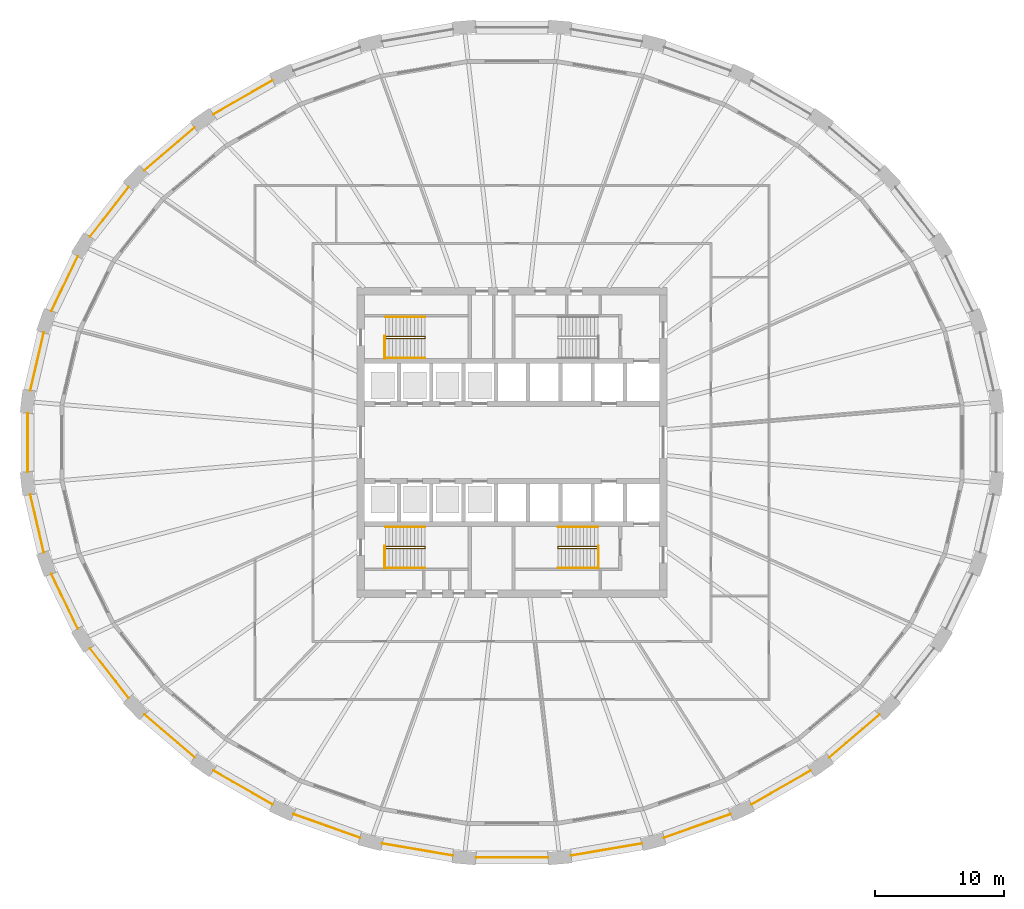
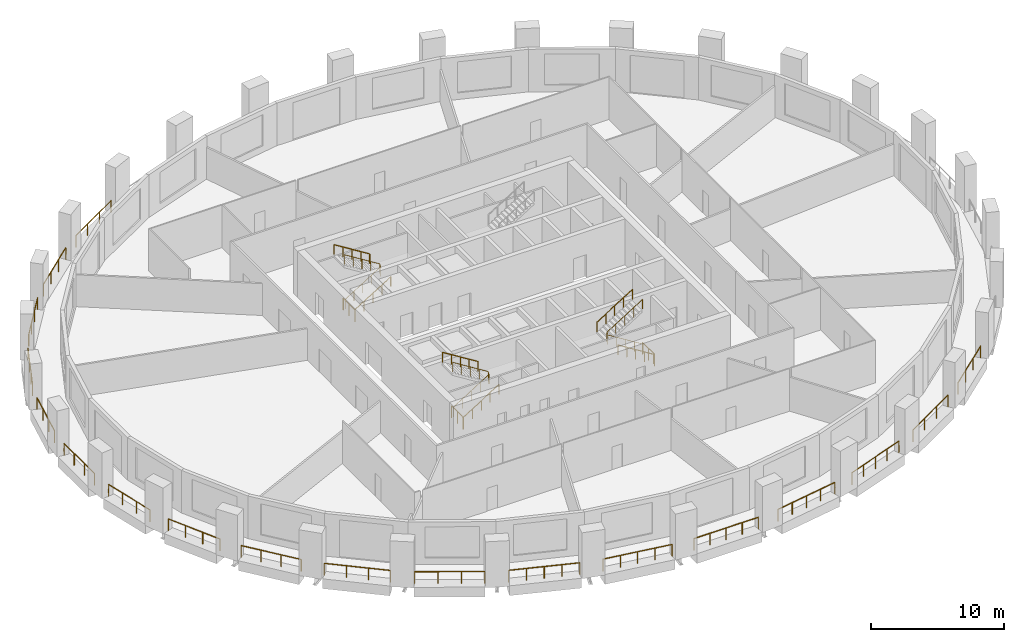
# One storey, part 9 of 11: 30 railings.
"""IFC4 building model written with IfcOpenShell, lengths in metres."""

from ifc_helpers import new_model, si_unit, direction, frame, origin, origin_2d, place, context, subcontext, project, spatial, circle, extrude, material, type_object, element, save


model = new_model("IFC4")

# Units and contexts
model_context = context("Model", 3, precision=1e-05, world=origin(), true_north=direction((0.0, 1.0)))
body_context = subcontext(model_context, "Body", "Model", "MODEL_VIEW")
ifc_project = project(units=[si_unit("LENGTHUNIT", "METRE"), si_unit("AREAUNIT", "SQUARE_METRE"), si_unit("VOLUMEUNIT", "CUBIC_METRE"), si_unit("PLANEANGLEUNIT", "RADIAN"), si_unit("MASSUNIT", "GRAM", prefix="KILO")], contexts=[model_context])

# Site, building, storey
site_placement = place(None, origin())
site = spatial("IfcSite", under=ifc_project, at=site_placement, CompositionType="ELEMENT")
building_placement = place(site_placement, origin())
building = spatial("IfcBuilding", under=site, at=building_placement, Name="Halqa Exchange Tower", CompositionType="ELEMENT")
storey_placement = place(building_placement, frame((0.0, 0.0, 40.300048828125)))
storey = spatial("IfcBuildingStorey", under=building, at=storey_placement, Name="L08", CompositionType="ELEMENT", Elevation=40.300048828125)

# Railings
ifc_material = material(Name="Stainless steel", Category="steel")
railing_type_1 = type_object("IfcRailingType", Name="Guard 1100 stainless steel", PredefinedType="GUARDRAIL", material=ifc_material)
railing_1_placement = place(storey_placement, frame((-18.53271484375, 28.01953125, 0.0)))
element("IfcRailing", 1, at=railing_1_placement, inside=storey, type_object=railing_type_1, Name="Loggia guard 11", PredefinedType="GUARDRAIL", context=body_context, shape_type="SweptSolid", body=[
    extrude(circle(Radius=0.02392578125, at=origin_2d()), frame((0.0, 0.0, 1.076171875), z_axis=(-0.867761260973, -0.496981281292, 0.0), x_axis=(0.496981281292, -0.867761260973, 0.0)), (0.0, 0.0, 1.0), 5.2734375),
    extrude(circle(Radius=0.02099609375, at=origin_2d()), origin(), (0.0, 0.0, 1.0), 1.052001953125),
    extrude(circle(Radius=0.02099609375, at=origin_2d()), frame((-1.525390625, -0.87353515625, 0.0)), (0.0, 0.0, 1.0), 1.052001953125),
    extrude(circle(Radius=0.02099609375, at=origin_2d()), frame((-3.05078125, -1.747314453125, 0.0)), (0.0, 0.0, 1.0), 1.052001953125),
    extrude(circle(Radius=0.02099609375, at=origin_2d()), frame((-4.576171875, -2.620849609375, 0.0)), (0.0, 0.0, 1.0), 1.052001953125),
])
railing_2_placement = place(storey_placement, frame((-24.5732421875, 24.36572265625, 0.0)))
element("IfcRailing", 2, at=railing_2_placement, inside=storey, type_object=railing_type_1, Name="Loggia guard 12", PredefinedType="GUARDRAIL", context=body_context, shape_type="SweptSolid", body=[
    extrude(circle(Radius=0.02392578125, at=origin_2d()), frame((0.0, 0.0, 1.076171875), z_axis=(-0.759259997871, -0.650787412012, 0.0), x_axis=(0.650787412012, -0.759259997871, 0.0)), (0.0, 0.0, 1.0), 5.075439453125),
    extrude(circle(Radius=0.02099609375, at=origin_2d()), origin(), (0.0, 0.0, 1.0), 1.052001953125),
    extrude(circle(Radius=0.02099609375, at=origin_2d()), frame((-1.284423828125, -1.10107421875, 0.0)), (0.0, 0.0, 1.0), 1.052001953125),
    extrude(circle(Radius=0.02099609375, at=origin_2d()), frame((-2.569091796875, -2.201904296875, 0.0)), (0.0, 0.0, 1.0), 1.052001953125),
    extrude(circle(Radius=0.02099609375, at=origin_2d()), frame((-3.853515625, -3.302978515625, 0.0)), (0.0, 0.0, 1.0), 1.052001953125),
])
railing_3_placement = place(storey_placement, frame((-29.663330078125, 19.767333984375, 0.0)))
element("IfcRailing", 3, at=railing_3_placement, inside=storey, type_object=railing_type_1, Name="Loggia guard 13", PredefinedType="GUARDRAIL", context=body_context, shape_type="SweptSolid", body=[
    extrude(circle(Radius=0.02392578125, at=origin_2d()), frame((0.0, 0.0, 1.076171875), z_axis=(-0.614779979903, -0.788698660016, 0.0), x_axis=(0.788698660016, -0.614779979903, 0.0)), (0.0, 0.0, 1.0), 4.87109375),
    extrude(circle(Radius=0.02099609375, at=origin_2d()), origin(), (0.0, 0.0, 1.0), 1.052001953125),
    extrude(circle(Radius=0.02099609375, at=origin_2d()), frame((-0.998291015625, -1.280517578125, 0.0)), (0.0, 0.0, 1.0), 1.052001953125),
    extrude(circle(Radius=0.02099609375, at=origin_2d()), frame((-1.996337890625, -2.561279296875, 0.0)), (0.0, 0.0, 1.0), 1.052001953125),
    extrude(circle(Radius=0.02099609375, at=origin_2d()), frame((-2.99462890625, -3.841796875, 0.0)), (0.0, 0.0, 1.0), 1.052001953125),
])
railing_4_placement = place(storey_placement, frame((-33.602783203125, 14.405517578125, 0.0)))
element("IfcRailing", 4, at=railing_4_placement, inside=storey, type_object=railing_type_1, Name="Loggia guard 14", PredefinedType="GUARDRAIL", context=body_context, shape_type="SweptSolid", body=[
    extrude(circle(Radius=0.02392578125, at=origin_2d()), frame((0.0, 0.0, 1.076171875), z_axis=(-0.435124379728, -0.900370353891, 0.0), x_axis=(0.900370353891, -0.435124379728, 0.0)), (0.0, 0.0, 1.0), 4.69287109375),
    extrude(circle(Radius=0.02099609375, at=origin_2d()), origin(), (0.0, 0.0, 1.0), 1.052001953125),
    extrude(circle(Radius=0.02099609375, at=origin_2d()), frame((-0.6806640625, -1.408447265625, 0.0)), (0.0, 0.0, 1.0), 1.052001953125),
    extrude(circle(Radius=0.02099609375, at=origin_2d()), frame((-1.361328125, -2.81689453125, 0.0)), (0.0, 0.0, 1.0), 1.052001953125),
    extrude(circle(Radius=0.02099609375, at=origin_2d()), frame((-2.0419921875, -4.225341796875, 0.0)), (0.0, 0.0, 1.0), 1.052001953125),
])
railing_5_placement = place(storey_placement, frame((-36.23974609375, 8.4931640625, 0.0)))
element("IfcRailing", 5, at=railing_5_placement, inside=storey, type_object=railing_type_1, Name="Loggia guard 15", PredefinedType="GUARDRAIL", context=body_context, shape_type="SweptSolid", body=[
    extrude(circle(Radius=0.02392578125, at=origin_2d()), frame((0.0, 0.0, 1.076171875), z_axis=(-0.226088077244, -0.974106863403, 0.0), x_axis=(0.974106863403, -0.226088077244, 0.0)), (0.0, 0.0, 1.0), 4.571044921875),
    extrude(circle(Radius=0.02099609375, at=origin_2d()), origin(), (0.0, 0.0, 1.0), 1.052001953125),
    extrude(circle(Radius=0.02099609375, at=origin_2d()), frame((-0.344482421875, -1.484130859375, 0.0)), (0.0, 0.0, 1.0), 1.052001953125),
    extrude(circle(Radius=0.02099609375, at=origin_2d()), frame((-0.68896484375, -2.968505859375, 0.0)), (0.0, 0.0, 1.0), 1.052001953125),
    extrude(circle(Radius=0.02099609375, at=origin_2d()), frame((-1.033447265625, -4.45263671875, 0.0)), (0.0, 0.0, 1.0), 1.052001953125),
])
railing_6_placement = place(storey_placement, frame((-37.4765625, 2.263916015625, 0.0)))
element("IfcRailing", 6, at=railing_6_placement, inside=storey, type_object=railing_type_1, Name="Loggia guard 16", PredefinedType="GUARDRAIL", context=body_context, shape_type="SweptSolid", body=[
    extrude(circle(Radius=0.02392578125, at=origin_2d()), frame((0.0, 0.0, 1.076171875), z_axis=(0.0, -1.0, 0.0), x_axis=(1.0, 0.0, 0.0)), (0.0, 0.0, 1.0), 4.52783203125),
    extrude(circle(Radius=0.02099609375, at=origin_2d()), origin(), (0.0, 0.0, 1.0), 1.052001953125),
    extrude(circle(Radius=0.02099609375, at=origin_2d()), frame((0.0, -1.50927734375, 0.0)), (0.0, 0.0, 1.0), 1.052001953125),
    extrude(circle(Radius=0.02099609375, at=origin_2d()), frame((0.0, -3.0185546875, 0.0)), (0.0, 0.0, 1.0), 1.052001953125),
    extrude(circle(Radius=0.02099609375, at=origin_2d()), frame((0.0, -4.52783203125, 0.0)), (0.0, 0.0, 1.0), 1.052001953125),
])
railing_7_placement = place(storey_placement, frame((-37.273193359375, -4.04052734375, 0.0)))
element("IfcRailing", 7, at=railing_7_placement, inside=storey, type_object=railing_type_1, Name="Loggia guard 17", PredefinedType="GUARDRAIL", context=body_context, shape_type="SweptSolid", body=[
    extrude(circle(Radius=0.02392578125, at=origin_2d()), frame((0.0, 0.0, 1.076171875), z_axis=(0.226088077244, -0.974106863403, 0.0), x_axis=(0.974106863403, 0.226088077244, 0.0)), (0.0, 0.0, 1.0), 4.571044921875),
    extrude(circle(Radius=0.02099609375, at=origin_2d()), origin(), (0.0, 0.0, 1.0), 1.052001953125),
    extrude(circle(Radius=0.02099609375, at=origin_2d()), frame((0.344482421875, -1.484130859375, 0.0)), (0.0, 0.0, 1.0), 1.052001953125),
    extrude(circle(Radius=0.02099609375, at=origin_2d()), frame((0.68896484375, -2.968505859375, 0.0)), (0.0, 0.0, 1.0), 1.052001953125),
    extrude(circle(Radius=0.02099609375, at=origin_2d()), frame((1.033447265625, -4.45263671875, 0.0)), (0.0, 0.0, 1.0), 1.052001953125),
])
railing_8_placement = place(storey_placement, frame((-35.644775390625, -10.18017578125, 0.0)))
element("IfcRailing", 8, at=railing_8_placement, inside=storey, type_object=railing_type_1, Name="Loggia guard 18", PredefinedType="GUARDRAIL", context=body_context, shape_type="SweptSolid", body=[
    extrude(circle(Radius=0.02392578125, at=origin_2d()), frame((0.0, 0.0, 1.076171875), z_axis=(0.435124379728, -0.900370353891, 0.0), x_axis=(0.900370353891, 0.435124379728, 0.0)), (0.0, 0.0, 1.0), 4.69287109375),
    extrude(circle(Radius=0.02099609375, at=origin_2d()), origin(), (0.0, 0.0, 1.0), 1.052001953125),
    extrude(circle(Radius=0.02099609375, at=origin_2d()), frame((0.6806640625, -1.408447265625, 0.0)), (0.0, 0.0, 1.0), 1.052001953125),
    extrude(circle(Radius=0.02099609375, at=origin_2d()), frame((1.361328125, -2.81689453125, 0.0)), (0.0, 0.0, 1.0), 1.052001953125),
    extrude(circle(Radius=0.02099609375, at=origin_2d()), frame((2.0419921875, -4.225341796875, 0.0)), (0.0, 0.0, 1.0), 1.052001953125),
])
railing_9_placement = place(storey_placement, frame((-32.657958984375, -15.925537109375, 0.0)))
element("IfcRailing", 9, at=railing_9_placement, inside=storey, type_object=railing_type_1, Name="Loggia guard 19", PredefinedType="GUARDRAIL", context=body_context, shape_type="SweptSolid", body=[
    extrude(circle(Radius=0.02392578125, at=origin_2d()), frame((0.0, 0.0, 1.076171875), z_axis=(0.614779979903, -0.788698660016, 0.0), x_axis=(0.788698660016, 0.614779979903, 0.0)), (0.0, 0.0, 1.0), 4.87109375),
    extrude(circle(Radius=0.02099609375, at=origin_2d()), origin(), (0.0, 0.0, 1.0), 1.052001953125),
    extrude(circle(Radius=0.02099609375, at=origin_2d()), frame((0.998291015625, -1.280517578125, 0.0)), (0.0, 0.0, 1.0), 1.052001953125),
    extrude(circle(Radius=0.02099609375, at=origin_2d()), frame((1.996337890625, -2.561279296875, 0.0)), (0.0, 0.0, 1.0), 1.052001953125),
    extrude(circle(Radius=0.02099609375, at=origin_2d()), frame((2.99462890625, -3.841796875, 0.0)), (0.0, 0.0, 1.0), 1.052001953125),
])
railing_10_placement = place(storey_placement, frame((-28.4267578125, -21.062744140625, 0.0)))
element("IfcRailing", 10, at=railing_10_placement, inside=storey, type_object=railing_type_1, Name="Loggia guard 20", PredefinedType="GUARDRAIL", context=body_context, shape_type="SweptSolid", body=[
    extrude(circle(Radius=0.02392578125, at=origin_2d()), frame((0.0, 0.0, 1.076171875), z_axis=(0.759259997871, -0.650787412012, 0.0), x_axis=(0.650787412012, 0.759259997871, 0.0)), (0.0, 0.0, 1.0), 5.075439453125),
    extrude(circle(Radius=0.02099609375, at=origin_2d()), origin(), (0.0, 0.0, 1.0), 1.052001953125),
    extrude(circle(Radius=0.02099609375, at=origin_2d()), frame((1.284423828125, -1.10107421875, 0.0)), (0.0, 0.0, 1.0), 1.052001953125),
    extrude(circle(Radius=0.02099609375, at=origin_2d()), frame((2.569091796875, -2.201904296875, 0.0)), (0.0, 0.0, 1.0), 1.052001953125),
    extrude(circle(Radius=0.02099609375, at=origin_2d()), frame((3.853515625, -3.302978515625, 0.0)), (0.0, 0.0, 1.0), 1.052001953125),
])
railing_11_placement = place(storey_placement, frame((-23.10888671875, -25.398681640625, 0.0)))
element("IfcRailing", 11, at=railing_11_placement, inside=storey, type_object=railing_type_1, Name="Loggia guard 21", PredefinedType="GUARDRAIL", context=body_context, shape_type="SweptSolid", body=[
    extrude(circle(Radius=0.02392578125, at=origin_2d()), frame((0.0, 0.0, 1.076171875), z_axis=(0.867761260973, -0.496981281292, 0.0), x_axis=(0.496981281292, 0.867761260973, 0.0)), (0.0, 0.0, 1.0), 5.2734375),
    extrude(circle(Radius=0.02099609375, at=origin_2d()), origin(), (0.0, 0.0, 1.0), 1.052001953125),
    extrude(circle(Radius=0.02099609375, at=origin_2d()), frame((1.525390625, -0.87353515625, 0.0)), (0.0, 0.0, 1.0), 1.052001953125),
    extrude(circle(Radius=0.02099609375, at=origin_2d()), frame((3.05078125, -1.747314453125, 0.0)), (0.0, 0.0, 1.0), 1.052001953125),
    extrude(circle(Radius=0.02099609375, at=origin_2d()), frame((4.576171875, -2.620849609375, 0.0)), (0.0, 0.0, 1.0), 1.052001953125),
])
railing_12_placement = place(storey_placement, frame((-16.90380859375, -28.767822265625, 0.0)))
element("IfcRailing", 12, at=railing_12_placement, inside=storey, type_object=railing_type_1, Name="Loggia guard 22", PredefinedType="GUARDRAIL", context=body_context, shape_type="SweptSolid", body=[
    extrude(circle(Radius=0.02392578125, at=origin_2d()), frame((0.0, 0.0, 1.076171875), z_axis=(0.942367022026, -0.334580925634, 0.0), x_axis=(0.334580925634, 0.942367022026, 0.0)), (0.0, 0.0, 1.0), 5.437744140625),
    extrude(circle(Radius=0.02099609375, at=origin_2d()), origin(), (0.0, 0.0, 1.0), 1.052001953125),
    extrude(circle(Radius=0.02099609375, at=origin_2d()), frame((1.281005859375, -0.454833984375, 0.0)), (0.0, 0.0, 1.0), 1.052001953125),
    extrude(circle(Radius=0.02099609375, at=origin_2d()), frame((2.56201171875, -0.90966796875, 0.0)), (0.0, 0.0, 1.0), 1.052001953125),
    extrude(circle(Radius=0.02099609375, at=origin_2d()), frame((3.84326171875, -1.364501953125, 0.0)), (0.0, 0.0, 1.0), 1.052001953125),
    extrude(circle(Radius=0.02099609375, at=origin_2d()), frame((5.124267578125, -1.8193359375, 0.0)), (0.0, 0.0, 1.0), 1.052001953125),
])
railing_13_placement = place(storey_placement, frame((-10.044189453125, -31.03955078125, 0.0)))
element("IfcRailing", 13, at=railing_13_placement, inside=storey, type_object=railing_type_1, Name="Loggia guard 23", PredefinedType="GUARDRAIL", context=body_context, shape_type="SweptSolid", body=[
    extrude(circle(Radius=0.02392578125, at=origin_2d()), frame((0.0, 0.0, 1.076171875), z_axis=(0.985775416456, -0.168067927667, 0.0), x_axis=(0.168067927667, 0.985775416456, 0.0)), (0.0, 0.0, 1.0), 5.544677734375),
    extrude(circle(Radius=0.02099609375, at=origin_2d()), origin(), (0.0, 0.0, 1.0), 1.052001953125),
    extrude(circle(Radius=0.02099609375, at=origin_2d()), frame((1.366455078125, -0.23291015625, 0.0)), (0.0, 0.0, 1.0), 1.052001953125),
    extrude(circle(Radius=0.02099609375, at=origin_2d()), frame((2.73291015625, -0.4658203125, 0.0)), (0.0, 0.0, 1.0), 1.052001953125),
    extrude(circle(Radius=0.02099609375, at=origin_2d()), frame((4.099365234375, -0.698974609375, 0.0)), (0.0, 0.0, 1.0), 1.052001953125),
    extrude(circle(Radius=0.02099609375, at=origin_2d()), frame((5.4658203125, -0.931884765625, 0.0)), (0.0, 0.0, 1.0), 1.052001953125),
])
railing_14_placement = place(storey_placement, frame((-2.791015625, -32.122802734375, 0.0)))
element("IfcRailing", 14, at=railing_14_placement, inside=storey, type_object=railing_type_1, Name="Loggia guard 24", PredefinedType="GUARDRAIL", context=body_context, shape_type="SweptSolid", body=[
    extrude(circle(Radius=0.02392578125, at=origin_2d()), frame((0.0, 0.0, 1.076171875), z_axis=(1.0, 0.0, 0.0), x_axis=(0.0, 1.0, 0.0)), (0.0, 0.0, 1.0), 5.58203125),
    extrude(circle(Radius=0.02099609375, at=origin_2d()), origin(), (0.0, 0.0, 1.0), 1.052001953125),
    extrude(circle(Radius=0.02099609375, at=origin_2d()), frame((1.3955078125, 0.0, 0.0)), (0.0, 0.0, 1.0), 1.052001953125),
    extrude(circle(Radius=0.02099609375, at=origin_2d()), frame((2.791015625, 0.0, 0.0)), (0.0, 0.0, 1.0), 1.052001953125),
    extrude(circle(Radius=0.02099609375, at=origin_2d()), frame((4.1865234375, 0.0, 0.0)), (0.0, 0.0, 1.0), 1.052001953125),
    extrude(circle(Radius=0.02099609375, at=origin_2d()), frame((5.58203125, 0.0, 0.0)), (0.0, 0.0, 1.0), 1.052001953125),
])
railing_15_placement = place(storey_placement, frame((4.578369140625, -31.971435546875, 0.0)))
element("IfcRailing", 15, at=railing_15_placement, inside=storey, type_object=railing_type_1, Name="Loggia guard 25", PredefinedType="GUARDRAIL", context=body_context, shape_type="SweptSolid", body=[
    extrude(circle(Radius=0.02392578125, at=origin_2d()), frame((0.0, 0.0, 1.076171875), z_axis=(0.985775416456, 0.168067927667, 0.0), x_axis=(-0.168067927667, 0.985775416456, 0.0)), (0.0, 0.0, 1.0), 5.544677734375),
    extrude(circle(Radius=0.02099609375, at=origin_2d()), origin(), (0.0, 0.0, 1.0), 1.052001953125),
    extrude(circle(Radius=0.02099609375, at=origin_2d()), frame((1.366455078125, 0.23291015625, 0.0)), (0.0, 0.0, 1.0), 1.052001953125),
    extrude(circle(Radius=0.02099609375, at=origin_2d()), frame((2.73291015625, 0.4658203125, 0.0)), (0.0, 0.0, 1.0), 1.052001953125),
    extrude(circle(Radius=0.02099609375, at=origin_2d()), frame((4.099365234375, 0.698974609375, 0.0)), (0.0, 0.0, 1.0), 1.052001953125),
    extrude(circle(Radius=0.02099609375, at=origin_2d()), frame((5.4658203125, 0.931884765625, 0.0)), (0.0, 0.0, 1.0), 1.052001953125),
])
railing_16_placement = place(storey_placement, frame((11.779541015625, -30.587158203125, 0.0)))
element("IfcRailing", 16, at=railing_16_placement, inside=storey, type_object=railing_type_1, Name="Loggia guard 26", PredefinedType="GUARDRAIL", context=body_context, shape_type="SweptSolid", body=[
    extrude(circle(Radius=0.02392578125, at=origin_2d()), frame((0.0, 0.0, 1.076171875), z_axis=(0.942367022026, 0.334580925634, 0.0), x_axis=(-0.334580925634, 0.942367022026, 0.0)), (0.0, 0.0, 1.0), 5.437744140625),
    extrude(circle(Radius=0.02099609375, at=origin_2d()), origin(), (0.0, 0.0, 1.0), 1.052001953125),
    extrude(circle(Radius=0.02099609375, at=origin_2d()), frame((1.281005859375, 0.454833984375, 0.0)), (0.0, 0.0, 1.0), 1.052001953125),
    extrude(circle(Radius=0.02099609375, at=origin_2d()), frame((2.56201171875, 0.90966796875, 0.0)), (0.0, 0.0, 1.0), 1.052001953125),
    extrude(circle(Radius=0.02099609375, at=origin_2d()), frame((3.84326171875, 1.364501953125, 0.0)), (0.0, 0.0, 1.0), 1.052001953125),
    extrude(circle(Radius=0.02099609375, at=origin_2d()), frame((5.124267578125, 1.8193359375, 0.0)), (0.0, 0.0, 1.0), 1.052001953125),
])
railing_17_placement = place(storey_placement, frame((18.53271484375, -28.01953125, 0.0)))
element("IfcRailing", 17, at=railing_17_placement, inside=storey, type_object=railing_type_1, Name="Loggia guard 27", PredefinedType="GUARDRAIL", context=body_context, shape_type="SweptSolid", body=[
    extrude(circle(Radius=0.02392578125, at=origin_2d()), frame((0.0, 0.0, 1.076171875), z_axis=(0.867761260973, 0.496981281292, 0.0), x_axis=(-0.496981281292, 0.867761260973, 0.0)), (0.0, 0.0, 1.0), 5.2734375),
    extrude(circle(Radius=0.02099609375, at=origin_2d()), origin(), (0.0, 0.0, 1.0), 1.052001953125),
    extrude(circle(Radius=0.02099609375, at=origin_2d()), frame((1.525390625, 0.87353515625, 0.0)), (0.0, 0.0, 1.0), 1.052001953125),
    extrude(circle(Radius=0.02099609375, at=origin_2d()), frame((3.05078125, 1.747314453125, 0.0)), (0.0, 0.0, 1.0), 1.052001953125),
    extrude(circle(Radius=0.02099609375, at=origin_2d()), frame((4.576171875, 2.620849609375, 0.0)), (0.0, 0.0, 1.0), 1.052001953125),
])
railing_18_placement = place(storey_placement, frame((24.5732421875, -24.36572265625, 0.0)))
element("IfcRailing", 18, at=railing_18_placement, inside=storey, type_object=railing_type_1, Name="Loggia guard 28", PredefinedType="GUARDRAIL", context=body_context, shape_type="SweptSolid", body=[
    extrude(circle(Radius=0.02392578125, at=origin_2d()), frame((0.0, 0.0, 1.076171875), z_axis=(0.759259997871, 0.650787412012, 0.0), x_axis=(-0.650787412012, 0.759259997871, 0.0)), (0.0, 0.0, 1.0), 5.075439453125),
    extrude(circle(Radius=0.02099609375, at=origin_2d()), origin(), (0.0, 0.0, 1.0), 1.052001953125),
    extrude(circle(Radius=0.02099609375, at=origin_2d()), frame((1.284423828125, 1.10107421875, 0.0)), (0.0, 0.0, 1.0), 1.052001953125),
    extrude(circle(Radius=0.02099609375, at=origin_2d()), frame((2.569091796875, 2.201904296875, 0.0)), (0.0, 0.0, 1.0), 1.052001953125),
    extrude(circle(Radius=0.02099609375, at=origin_2d()), frame((3.853515625, 3.302978515625, 0.0)), (0.0, 0.0, 1.0), 1.052001953125),
])
railing_type_2 = type_object("IfcRailingType", Name="Stair handrail 900", PredefinedType="HANDRAIL", material=ifc_material)
railing_19_placement = place(storey_placement, frame((-9.800048828125, 8.06005859375, 0.175048828125)))
element("IfcRailing", 19, at=railing_19_placement, inside=storey, type_object=railing_type_2, Name="Handrail ST1.1", PredefinedType="HANDRAIL", context=body_context, shape_type="SweptSolid", body=[
    extrude(circle(Radius=0.02392578125, at=origin_2d()), frame((0.0, 0.0, 0.8759765625), z_axis=(0.848028513186, 0.0, 0.529950602248), x_axis=(0.0, 1.0, 0.0)), (0.0, 0.0, 1.0), 3.632080078125),
    extrude(circle(Radius=0.02392578125, at=origin_2d()), frame((3.080078125, 0.0, 2.80078125), z_axis=(0.0, 0.595870227118, 0.803080738428), x_axis=(-1.0, 0.0, 0.0)), (0.0, 0.0, 1.0), 0.218017578125),
    extrude(circle(Radius=0.02392578125, at=origin_2d()), frame((3.080078125, 0.1298828125, 2.9755859375), z_axis=(-0.847998304005, 0.0, 0.529998940003), x_axis=(0.0, -1.0, 0.0)), (0.0, 0.0, 1.0), 3.632080078125),
    extrude(circle(Radius=0.02099609375, at=origin_2d()), origin(), (0.0, 0.0, 1.0), 0.851806640625),
    extrude(circle(Radius=0.02099609375, at=origin_2d()), frame((0.77001953125, 0.0, 0.481201171875)), (0.0, 0.0, 1.0), 0.851806640625),
    extrude(circle(Radius=0.02099609375, at=origin_2d()), frame((1.5400390625, 0.0, 0.96240234375)), (0.0, 0.0, 1.0), 0.851806640625),
    extrude(circle(Radius=0.02099609375, at=origin_2d()), frame((2.31005859375, 0.0, 1.443603515625)), (0.0, 0.0, 1.0), 0.851806640625),
    extrude(circle(Radius=0.02099609375, at=origin_2d()), frame((3.080078125, 0.0, 1.9248046875)), (0.0, 0.0, 1.0), 0.851806640625),
    extrude(circle(Radius=0.02099609375, at=origin_2d()), frame((3.080078125, 0.1298828125, 2.099853515625)), (0.0, 0.0, 1.0), 0.851806640625),
    extrude(circle(Radius=0.02099609375, at=origin_2d()), frame((2.31005859375, 0.1298828125, 2.5810546875)), (0.0, 0.0, 1.0), 0.851806640625),
    extrude(circle(Radius=0.02099609375, at=origin_2d()), frame((1.5400390625, 0.1298828125, 3.0625)), (0.0, 0.0, 1.0), 0.851806640625),
    extrude(circle(Radius=0.02099609375, at=origin_2d()), frame((0.77001953125, 0.1298828125, 3.543701171875)), (0.0, 0.0, 1.0), 0.851806640625),
    extrude(circle(Radius=0.02099609375, at=origin_2d()), frame((0.0, 0.1298828125, 4.02490234375)), (0.0, 0.0, 1.0), 0.851806640625),
])
railing_20_placement = place(storey_placement, frame((-9.800048828125, 6.550048828125, 0.175048828125)))
element("IfcRailing", 20, at=railing_20_placement, inside=storey, type_object=railing_type_2, Name="Handrail ST1.2", PredefinedType="HANDRAIL", context=body_context, shape_type="SweptSolid", body=[
    extrude(circle(Radius=0.02392578125, at=origin_2d()), frame((0.0, 0.0, 0.8759765625), z_axis=(0.848028513186, 0.0, 0.529950602248), x_axis=(0.0, 1.0, 0.0)), (0.0, 0.0, 1.0), 3.632080078125),
    extrude(circle(Radius=0.02099609375, at=origin_2d()), origin(), (0.0, 0.0, 1.0), 0.851806640625),
    extrude(circle(Radius=0.02099609375, at=origin_2d()), frame((0.77001953125, 0.0, 0.481201171875)), (0.0, 0.0, 1.0), 0.851806640625),
    extrude(circle(Radius=0.02099609375, at=origin_2d()), frame((1.5400390625, 0.0, 0.96240234375)), (0.0, 0.0, 1.0), 0.851806640625),
    extrude(circle(Radius=0.02099609375, at=origin_2d()), frame((2.31005859375, 0.0, 1.443603515625)), (0.0, 0.0, 1.0), 0.851806640625),
    extrude(circle(Radius=0.02099609375, at=origin_2d()), frame((3.080078125, 0.0, 1.9248046875)), (0.0, 0.0, 1.0), 0.851806640625),
])
railing_21_placement = place(storey_placement, frame((-6.719970703125, 9.699951171875, 2.27490234375)))
element("IfcRailing", 21, at=railing_21_placement, inside=storey, type_object=railing_type_2, Name="Handrail ST1.3", PredefinedType="HANDRAIL", context=body_context, shape_type="SweptSolid", body=[
    extrude(circle(Radius=0.02392578125, at=origin_2d()), frame((0.0, 0.0, 0.8759765625), z_axis=(-0.847998304005, 0.0, 0.529998940003), x_axis=(0.0, -1.0, 0.0)), (0.0, 0.0, 1.0), 3.632080078125),
    extrude(circle(Radius=0.02099609375, at=origin_2d()), origin(), (0.0, 0.0, 1.0), 0.851806640625),
    extrude(circle(Radius=0.02099609375, at=origin_2d()), frame((-0.77001953125, 0.0, 0.481201171875)), (0.0, 0.0, 1.0), 0.851806640625),
    extrude(circle(Radius=0.02099609375, at=origin_2d()), frame((-1.5400390625, 0.0, 0.96240234375)), (0.0, 0.0, 1.0), 0.851806640625),
    extrude(circle(Radius=0.02099609375, at=origin_2d()), frame((-2.31005859375, 0.0, 1.44384765625)), (0.0, 0.0, 1.0), 0.851806640625),
    extrude(circle(Radius=0.02099609375, at=origin_2d()), frame((-3.080078125, 0.0, 1.925048828125)), (0.0, 0.0, 1.0), 0.851806640625),
])
railing_22_placement = place(storey_placement, frame((-9.800048828125, -8.18994140625, 0.175048828125)))
element("IfcRailing", 22, at=railing_22_placement, inside=storey, type_object=railing_type_2, Name="Handrail ST3.1", PredefinedType="HANDRAIL", context=body_context, shape_type="SweptSolid", body=[
    extrude(circle(Radius=0.02392578125, at=origin_2d()), frame((0.0, 0.0, 0.8759765625), z_axis=(0.848028513186, 0.0, 0.529950602248), x_axis=(0.0, 1.0, 0.0)), (0.0, 0.0, 1.0), 3.632080078125),
    extrude(circle(Radius=0.02392578125, at=origin_2d()), frame((3.080078125, 0.0, 2.80078125), z_axis=(0.0, 0.595870227118, 0.803080738428), x_axis=(-1.0, 0.0, 0.0)), (0.0, 0.0, 1.0), 0.218017578125),
    extrude(circle(Radius=0.02392578125, at=origin_2d()), frame((3.080078125, 0.1298828125, 2.9755859375), z_axis=(-0.847998304005, 0.0, 0.529998940003), x_axis=(0.0, -1.0, 0.0)), (0.0, 0.0, 1.0), 3.632080078125),
    extrude(circle(Radius=0.02099609375, at=origin_2d()), origin(), (0.0, 0.0, 1.0), 0.851806640625),
    extrude(circle(Radius=0.02099609375, at=origin_2d()), frame((0.77001953125, 0.0, 0.481201171875)), (0.0, 0.0, 1.0), 0.851806640625),
    extrude(circle(Radius=0.02099609375, at=origin_2d()), frame((1.5400390625, 0.0, 0.96240234375)), (0.0, 0.0, 1.0), 0.851806640625),
    extrude(circle(Radius=0.02099609375, at=origin_2d()), frame((2.31005859375, 0.0, 1.443603515625)), (0.0, 0.0, 1.0), 0.851806640625),
    extrude(circle(Radius=0.02099609375, at=origin_2d()), frame((3.080078125, 0.0, 1.9248046875)), (0.0, 0.0, 1.0), 0.851806640625),
    extrude(circle(Radius=0.02099609375, at=origin_2d()), frame((3.080078125, 0.1298828125, 2.099853515625)), (0.0, 0.0, 1.0), 0.851806640625),
    extrude(circle(Radius=0.02099609375, at=origin_2d()), frame((2.31005859375, 0.1298828125, 2.5810546875)), (0.0, 0.0, 1.0), 0.851806640625),
    extrude(circle(Radius=0.02099609375, at=origin_2d()), frame((1.5400390625, 0.1298828125, 3.0625)), (0.0, 0.0, 1.0), 0.851806640625),
    extrude(circle(Radius=0.02099609375, at=origin_2d()), frame((0.77001953125, 0.1298828125, 3.543701171875)), (0.0, 0.0, 1.0), 0.851806640625),
    extrude(circle(Radius=0.02099609375, at=origin_2d()), frame((0.0, 0.1298828125, 4.02490234375)), (0.0, 0.0, 1.0), 0.851806640625),
])
railing_23_placement = place(storey_placement, frame((-9.800048828125, -9.699951171875, 0.175048828125)))
element("IfcRailing", 23, at=railing_23_placement, inside=storey, type_object=railing_type_2, Name="Handrail ST3.2", PredefinedType="HANDRAIL", context=body_context, shape_type="SweptSolid", body=[
    extrude(circle(Radius=0.02392578125, at=origin_2d()), frame((0.0, 0.0, 0.8759765625), z_axis=(0.848028513186, 0.0, 0.529950602248), x_axis=(0.0, 1.0, 0.0)), (0.0, 0.0, 1.0), 3.632080078125),
    extrude(circle(Radius=0.02099609375, at=origin_2d()), origin(), (0.0, 0.0, 1.0), 0.851806640625),
    extrude(circle(Radius=0.02099609375, at=origin_2d()), frame((0.77001953125, 0.0, 0.481201171875)), (0.0, 0.0, 1.0), 0.851806640625),
    extrude(circle(Radius=0.02099609375, at=origin_2d()), frame((1.5400390625, 0.0, 0.96240234375)), (0.0, 0.0, 1.0), 0.851806640625),
    extrude(circle(Radius=0.02099609375, at=origin_2d()), frame((2.31005859375, 0.0, 1.443603515625)), (0.0, 0.0, 1.0), 0.851806640625),
    extrude(circle(Radius=0.02099609375, at=origin_2d()), frame((3.080078125, 0.0, 1.9248046875)), (0.0, 0.0, 1.0), 0.851806640625),
])
railing_24_placement = place(storey_placement, frame((-6.719970703125, -6.550048828125, 2.27490234375)))
element("IfcRailing", 24, at=railing_24_placement, inside=storey, type_object=railing_type_2, Name="Handrail ST3.3", PredefinedType="HANDRAIL", context=body_context, shape_type="SweptSolid", body=[
    extrude(circle(Radius=0.02392578125, at=origin_2d()), frame((0.0, 0.0, 0.8759765625), z_axis=(-0.847998304005, 0.0, 0.529998940003), x_axis=(0.0, -1.0, 0.0)), (0.0, 0.0, 1.0), 3.632080078125),
    extrude(circle(Radius=0.02099609375, at=origin_2d()), origin(), (0.0, 0.0, 1.0), 0.851806640625),
    extrude(circle(Radius=0.02099609375, at=origin_2d()), frame((-0.77001953125, 0.0, 0.481201171875)), (0.0, 0.0, 1.0), 0.851806640625),
    extrude(circle(Radius=0.02099609375, at=origin_2d()), frame((-1.5400390625, 0.0, 0.96240234375)), (0.0, 0.0, 1.0), 0.851806640625),
    extrude(circle(Radius=0.02099609375, at=origin_2d()), frame((-2.31005859375, 0.0, 1.44384765625)), (0.0, 0.0, 1.0), 0.851806640625),
    extrude(circle(Radius=0.02099609375, at=origin_2d()), frame((-3.080078125, 0.0, 1.925048828125)), (0.0, 0.0, 1.0), 0.851806640625),
])
railing_25_placement = place(storey_placement, frame((6.64990234375, -8.18994140625, 0.175048828125)))
element("IfcRailing", 25, at=railing_25_placement, inside=storey, type_object=railing_type_2, Name="Handrail ST4.1", PredefinedType="HANDRAIL", context=body_context, shape_type="SweptSolid", body=[
    extrude(circle(Radius=0.02392578125, at=origin_2d()), frame((0.0, 0.0, 0.8759765625), z_axis=(-0.848009633417, 0.0, 0.529980812513), x_axis=(0.0, -1.0, 0.0)), (0.0, 0.0, 1.0), 3.6318359375),
    extrude(circle(Radius=0.02392578125, at=origin_2d()), frame((-3.079833984375, 0.0, 2.80078125), z_axis=(0.0, 0.595870227118, 0.803080738428), x_axis=(-1.0, 0.0, 0.0)), (0.0, 0.0, 1.0), 0.218017578125),
    extrude(circle(Radius=0.02392578125, at=origin_2d()), frame((-3.079833984375, 0.1298828125, 2.9755859375), z_axis=(0.847979421464, 0.0, 0.530029150871), x_axis=(0.0, 1.0, 0.0)), (0.0, 0.0, 1.0), 3.632080078125),
    extrude(circle(Radius=0.02099609375, at=origin_2d()), origin(), (0.0, 0.0, 1.0), 0.851806640625),
    extrude(circle(Radius=0.02099609375, at=origin_2d()), frame((-0.77001953125, 0.0, 0.481201171875)), (0.0, 0.0, 1.0), 0.851806640625),
    extrude(circle(Radius=0.02099609375, at=origin_2d()), frame((-1.5400390625, 0.0, 0.96240234375)), (0.0, 0.0, 1.0), 0.851806640625),
    extrude(circle(Radius=0.02099609375, at=origin_2d()), frame((-2.309814453125, 0.0, 1.443603515625)), (0.0, 0.0, 1.0), 0.851806640625),
    extrude(circle(Radius=0.02099609375, at=origin_2d()), frame((-3.079833984375, 0.0, 1.9248046875)), (0.0, 0.0, 1.0), 0.851806640625),
    extrude(circle(Radius=0.02099609375, at=origin_2d()), frame((-3.079833984375, 0.1298828125, 2.099853515625)), (0.0, 0.0, 1.0), 0.851806640625),
    extrude(circle(Radius=0.02099609375, at=origin_2d()), frame((-2.309814453125, 0.1298828125, 2.5810546875)), (0.0, 0.0, 1.0), 0.851806640625),
    extrude(circle(Radius=0.02099609375, at=origin_2d()), frame((-1.5400390625, 0.1298828125, 3.0625)), (0.0, 0.0, 1.0), 0.851806640625),
    extrude(circle(Radius=0.02099609375, at=origin_2d()), frame((-0.77001953125, 0.1298828125, 3.543701171875)), (0.0, 0.0, 1.0), 0.851806640625),
    extrude(circle(Radius=0.02099609375, at=origin_2d()), frame((0.0, 0.1298828125, 4.02490234375)), (0.0, 0.0, 1.0), 0.851806640625),
])
railing_26_placement = place(storey_placement, frame((6.64990234375, -9.699951171875, 0.175048828125)))
element("IfcRailing", 26, at=railing_26_placement, inside=storey, type_object=railing_type_2, Name="Handrail ST4.2", PredefinedType="HANDRAIL", context=body_context, shape_type="SweptSolid", body=[
    extrude(circle(Radius=0.02392578125, at=origin_2d()), frame((0.0, 0.0, 0.8759765625), z_axis=(-0.848009633417, 0.0, 0.529980812513), x_axis=(0.0, -1.0, 0.0)), (0.0, 0.0, 1.0), 3.6318359375),
    extrude(circle(Radius=0.02099609375, at=origin_2d()), origin(), (0.0, 0.0, 1.0), 0.851806640625),
    extrude(circle(Radius=0.02099609375, at=origin_2d()), frame((-0.77001953125, 0.0, 0.481201171875)), (0.0, 0.0, 1.0), 0.851806640625),
    extrude(circle(Radius=0.02099609375, at=origin_2d()), frame((-1.5400390625, 0.0, 0.96240234375)), (0.0, 0.0, 1.0), 0.851806640625),
    extrude(circle(Radius=0.02099609375, at=origin_2d()), frame((-2.309814453125, 0.0, 1.443603515625)), (0.0, 0.0, 1.0), 0.851806640625),
    extrude(circle(Radius=0.02099609375, at=origin_2d()), frame((-3.079833984375, 0.0, 1.9248046875)), (0.0, 0.0, 1.0), 0.851806640625),
])
railing_27_placement = place(storey_placement, frame((3.570068359375, -6.550048828125, 2.27490234375)))
element("IfcRailing", 27, at=railing_27_placement, inside=storey, type_object=railing_type_2, Name="Handrail ST4.3", PredefinedType="HANDRAIL", context=body_context, shape_type="SweptSolid", body=[
    extrude(circle(Radius=0.02392578125, at=origin_2d()), frame((0.0, 0.0, 0.8759765625), z_axis=(0.847979421464, 0.0, 0.530029150871), x_axis=(0.0, 1.0, 0.0)), (0.0, 0.0, 1.0), 3.632080078125),
    extrude(circle(Radius=0.02099609375, at=origin_2d()), origin(), (0.0, 0.0, 1.0), 0.851806640625),
    extrude(circle(Radius=0.02099609375, at=origin_2d()), frame((0.77001953125, 0.0, 0.481201171875)), (0.0, 0.0, 1.0), 0.851806640625),
    extrude(circle(Radius=0.02099609375, at=origin_2d()), frame((1.5400390625, 0.0, 0.96240234375)), (0.0, 0.0, 1.0), 0.851806640625),
    extrude(circle(Radius=0.02099609375, at=origin_2d()), frame((2.309814453125, 0.0, 1.44384765625)), (0.0, 0.0, 1.0), 0.851806640625),
    extrude(circle(Radius=0.02099609375, at=origin_2d()), frame((3.079833984375, 0.0, 1.925048828125)), (0.0, 0.0, 1.0), 0.851806640625),
])
railing_type_3 = type_object("IfcRailingType", Name="Stair well guard 1100", PredefinedType="GUARDRAIL", material=ifc_material)
for number, where, name in (
    (28, (-9.85009765625, 6.5, 0.0), "Guard ST1 well"),
    (29, (-9.85009765625, -9.75, 0.0), "Guard ST3 well"),
    (30, (6.699951171875, -9.75, 0.0), "Guard ST4 well"),
):
    element("IfcRailing", number, at=place(storey_placement, frame(where)), inside=storey, type_object=railing_type_3, Name=name, PredefinedType="GUARDRAIL", context=body_context, shape_type="SweptSolid", body=[
        extrude(circle(Radius=0.02392578125, at=origin_2d()), frame((0.0, 0.0, 1.076171875), z_axis=(0.0, 1.0, 0.0), x_axis=(-1.0, 0.0, 0.0)), (0.0, 0.0, 1.0), 1.75),
        extrude(circle(Radius=0.02099609375, at=origin_2d()), origin(), (0.0, 0.0, 1.0), 1.052001953125),
        extrude(circle(Radius=0.02099609375, at=origin_2d()), frame((0.0, 0.875, 0.0)), (0.0, 0.0, 1.0), 1.052001953125),
        extrude(circle(Radius=0.02099609375, at=origin_2d()), frame((0.0, 1.75, 0.0)), (0.0, 0.0, 1.0), 1.052001953125),
    ])

save(model, "model.ifc")
